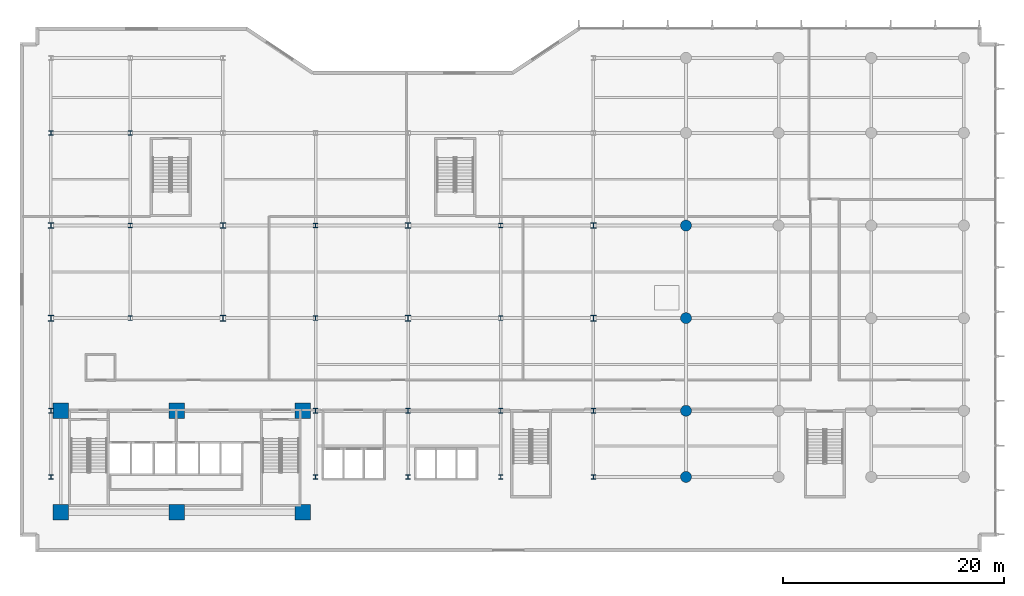
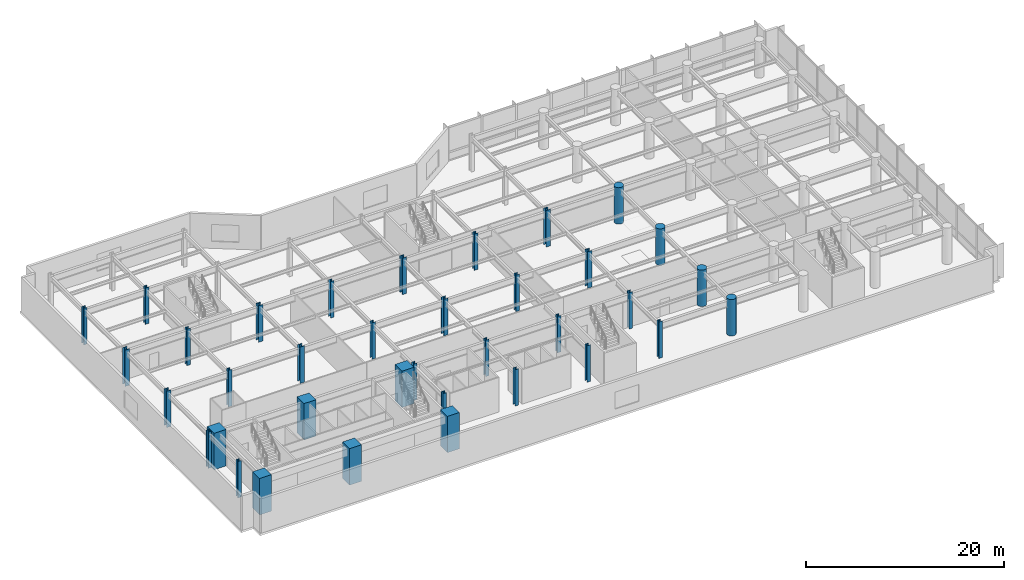
# One storey, part 1 of 26: 36 columns.
"""IFC4 building model written with IfcOpenShell, lengths in metres."""

from ifc_helpers import new_model, si_unit, direction, frame, origin, origin_2d, place, context, subcontext, project, spatial, rectangle, circle, i_section, extrude, material, material_profile, profile_set, type_object, element, save


model = new_model("IFC4")

# Units and contexts
model_context = context("Model", 3, precision=1e-05, world=origin(), true_north=direction((0.0, 1.0)))
body_context = subcontext(model_context, "Body", "Model", "MODEL_VIEW")
ifc_project = project(units=[si_unit("LENGTHUNIT", "METRE"), si_unit("AREAUNIT", "SQUARE_METRE"), si_unit("VOLUMEUNIT", "CUBIC_METRE"), si_unit("PLANEANGLEUNIT", "RADIAN"), si_unit("MASSUNIT", "GRAM", prefix="KILO")], contexts=[model_context])

# Site, building, storey
site_placement = place(None, origin())
site = spatial("IfcSite", under=ifc_project, at=site_placement, CompositionType="ELEMENT")
building_placement = place(site_placement, origin())
building = spatial("IfcBuilding", under=site, at=building_placement, Name="Varnakote Quay Hospital", CompositionType="ELEMENT")
storey_placement = place(building_placement, frame((0.0, 0.0, 9.0)))
storey = spatial("IfcBuildingStorey", under=building, at=storey_placement, Name="L02", CompositionType="ELEMENT", Elevation=9.0)

# Columns
ifc_material_1 = material(Name="Concrete N80 (f'c 80 MPa)", Category="concrete")
ifc_material_profile_1 = material_profile(ifc_material_1, rectangle(XDim=1.39990234375, YDim=1.39990234375, at=origin_2d()), Name="RC-COL-1400x1400")
ifc_profile_set_1 = profile_set([ifc_material_profile_1], Name="Concrete N80 (f'c 80 MPa)")
column_type_1 = type_object("IfcColumnType", Name="COL-RC-1400", PredefinedType="COLUMN", material=ifc_profile_set_1)
for number, where, z_axis, x_axis, name in (
    (1, (2.10009765625, 2.800048828125, 0.0), (0.0, 0.0, 1.0), (1.0, 0.0, 0.0), "L02 Structural Column C-2-3"),
    (2, (12.6201171875, 2.800048828125, 0.0), (0.0, 0.0, 1.0), (1.0, 0.0, 0.0), "L02 Structural Column C-13-3"),
    (3, (24.050048828125, 2.800048828125, 0.0), (0.0, 0.0, 1.0), (1.0, 0.0, 0.0), "L02 Structural Column C-24-3"),
    (4, (2.10009765625, 12.0, 0.0), (0.0, 0.0, 1.0), (1.0, 0.0, 0.0), "L02 Structural Column C-2-12"),
    (5, (12.6201171875, 12.0, 0.0), (0.0, 0.0, 1.0), (1.0, 0.0, 0.0), "L02 Structural Column C-13-12"),
    (6, (24.050048828125, 12.0, 0.0), (0.0, 0.0, 1.0), (1.0, 0.0, 0.0), "L02 Structural Column C-24-12"),
):
    element("IfcColumn", number, at=place(storey_placement, frame(where, z_axis=z_axis, x_axis=x_axis)), inside=storey, type_object=column_type_1, Name=name, PredefinedType="COLUMN", context=body_context, shape_type="SweptSolid", body=[
        extrude(rectangle(XDim=1.39990234375, YDim=1.39990234375, at=origin_2d()), origin(), (0.0, 0.0, 1.0), 4.5),
    ])
ifc_material_2 = material(Name="Concrete N65 (f'c 65 MPa)", Category="concrete")
ifc_material_profile_2 = material_profile(ifc_material_2, circle(Radius=0.5, at=origin_2d()), Name="RC-COL-D1000")
ifc_profile_set_2 = profile_set([ifc_material_profile_2], Name="Concrete N65 (f'c 65 MPa)")
column_type_2 = type_object("IfcColumnType", Name="COL-RC-D1000", PredefinedType="COLUMN", material=ifc_profile_set_2)
for number, where, z_axis, x_axis, name in (
    (7, (58.800048828125, 6.0, 0.0), (0.0, 0.0, 1.0), (1.0, 0.0, 0.0), "L02 Structural Column C-59-6"),
    (8, (58.800048828125, 12.0, 0.0), (0.0, 0.0, 1.0), (1.0, 0.0, 0.0), "L02 Structural Column C-59-12"),
    (9, (58.800048828125, 20.39990234375, 0.0), (0.0, 0.0, 1.0), (1.0, 0.0, 0.0), "L02 Structural Column C-59-20"),
    (10, (58.800048828125, 28.800048828125, 0.0), (0.0, 0.0, 1.0), (1.0, 0.0, 0.0), "L02 Structural Column C-59-29"),
):
    element("IfcColumn", number, at=place(storey_placement, frame(where, z_axis=z_axis, x_axis=x_axis)), inside=storey, type_object=column_type_2, Name=name, PredefinedType="COLUMN", context=body_context, shape_type="SweptSolid", body=[
        extrude(circle(Radius=0.5, at=origin_2d()), origin(), (0.0, 0.0, 1.0), 4.5),
    ])
ifc_material_3 = material(Name="Structural steel AS/NZS 3678 Grade 350 (fy 340 MPa)", Category="steel")
ifc_material_profile_3 = material_profile(ifc_material_3, i_section(OverallWidth=0.39990234375, OverallDepth=0.419921875, WebThickness=0.02490234375, FlangeThickness=0.0400390625, at=origin_2d()), Name="400WC328")
ifc_profile_set_3 = profile_set([ifc_material_profile_3], Name="Structural steel AS/NZS 3678 Grade 350 (fy 340 MPa)")
column_type_3 = type_object("IfcColumnType", Name="COL-STL-400WC328", PredefinedType="COLUMN", material=ifc_profile_set_3)
for number, where, z_axis, x_axis, name in (
    (11, (1.199951171875, 6.0, 0.0), (0.0, 0.0, 1.0), (1.0, 0.0, 0.0), "L02 Structural Column C-1-6"),
    (12, (25.199951171875, 6.0, 0.0), (0.0, 0.0, 1.0), (1.0, 0.0, 0.0), "L02 Structural Column C-25-6"),
    (13, (33.60009765625, 6.0, 0.0), (0.0, 0.0, 1.0), (1.0, 0.0, 0.0), "L02 Structural Column C-34-6"),
    (14, (42.0, 6.0, 0.0), (0.0, 0.0, 1.0), (1.0, 0.0, 0.0), "L02 Structural Column C-42-6"),
    (15, (50.39990234375, 6.0, 0.0), (0.0, 0.0, 1.0), (1.0, 0.0, 0.0), "L02 Structural Column C-50-6"),
    (16, (1.199951171875, 12.0, 0.0), (0.0, 0.0, 1.0), (1.0, 0.0, 0.0), "L02 Structural Column C-1-12"),
    (17, (25.199951171875, 12.0, 0.0), (0.0, 0.0, 1.0), (1.0, 0.0, 0.0), "L02 Structural Column C-25-12"),
    (18, (33.60009765625, 12.0, 0.0), (0.0, 0.0, 1.0), (1.0, 0.0, 0.0), "L02 Structural Column C-34-12"),
    (19, (42.0, 12.0, 0.0), (0.0, 0.0, 1.0), (1.0, 0.0, 0.0), "L02 Structural Column C-42-12"),
    (20, (50.39990234375, 12.0, 0.0), (0.0, 0.0, 1.0), (1.0, 0.0, 0.0), "L02 Structural Column C-50-12"),
    (21, (8.39990234375, 20.39990234375, 0.0), (0.0, 0.0, 1.0), (1.0, 0.0, 0.0), "L02 Structural Column C-8-20"),
    (22, (25.199951171875, 20.39990234375, 0.0), (0.0, 0.0, 1.0), (1.0, 0.0, 0.0), "L02 Structural Column C-25-20"),
    (23, (42.0, 20.39990234375, 0.0), (0.0, 0.0, 1.0), (1.0, 0.0, 0.0), "L02 Structural Column C-42-20"),
    (24, (8.39990234375, 28.800048828125, 0.0), (0.0, 0.0, 1.0), (1.0, 0.0, 0.0), "L02 Structural Column C-8-29"),
    (25, (25.199951171875, 28.800048828125, 0.0), (0.0, 0.0, 1.0), (1.0, 0.0, 0.0), "L02 Structural Column C-25-29"),
    (26, (42.0, 28.800048828125, 0.0), (0.0, 0.0, 1.0), (1.0, 0.0, 0.0), "L02 Structural Column C-42-29"),
    (27, (1.199951171875, 37.199951171875, 0.0), (0.0, 0.0, 1.0), (1.0, 0.0, 0.0), "L02 Structural Column C-1-37"),
    (28, (8.39990234375, 37.199951171875, 0.0), (0.0, 0.0, 1.0), (1.0, 0.0, 0.0), "L02 Structural Column C-8-37"),
):
    element("IfcColumn", number, at=place(storey_placement, frame(where, z_axis=z_axis, x_axis=x_axis)), inside=storey, type_object=column_type_3, Name=name, PredefinedType="COLUMN", context=body_context, shape_type="SweptSolid", body=[
        extrude(i_section(OverallWidth=0.39990234375, OverallDepth=0.419921875, WebThickness=0.02490234375, FlangeThickness=0.0400390625, at=origin_2d()), origin(), (0.0, 0.0, 1.0), 4.5),
    ])
ifc_material_4 = material(Name="Structural steel AS/NZS 3678 Grade 350 (fy 340 MPa)", Category="steel")
ifc_material_profile_4 = material_profile(ifc_material_4, i_section(OverallWidth=0.5, OverallDepth=0.530029296875, WebThickness=0.028076171875, FlangeThickness=0.044921875, at=origin_2d()), Name="500WC440")
ifc_profile_set_4 = profile_set([ifc_material_profile_4], Name="Structural steel AS/NZS 3678 Grade 350 (fy 340 MPa)")
column_type_4 = type_object("IfcColumnType", Name="COL-STL-500WC440", PredefinedType="COLUMN", material=ifc_profile_set_4)
for number, where, z_axis, x_axis, name in (
    (29, (1.199951171875, 20.39990234375, 0.0), (0.0, 0.0, 1.0), (1.0, 0.0, 0.0), "L02 Structural Column C-1-20"),
    (30, (16.800048828125, 20.39990234375, 0.0), (0.0, 0.0, 1.0), (1.0, 0.0, 0.0), "L02 Structural Column C-17-20"),
    (31, (33.60009765625, 20.39990234375, 0.0), (0.0, 0.0, 1.0), (1.0, 0.0, 0.0), "L02 Structural Column C-34-20"),
    (32, (50.39990234375, 20.39990234375, 0.0), (0.0, 0.0, 1.0), (1.0, 0.0, 0.0), "L02 Structural Column C-50-20"),
    (33, (1.199951171875, 28.800048828125, 0.0), (0.0, 0.0, 1.0), (1.0, 0.0, 0.0), "L02 Structural Column C-1-29"),
    (34, (16.800048828125, 28.800048828125, 0.0), (0.0, 0.0, 1.0), (1.0, 0.0, 0.0), "L02 Structural Column C-17-29"),
    (35, (33.60009765625, 28.800048828125, 0.0), (0.0, 0.0, 1.0), (1.0, 0.0, 0.0), "L02 Structural Column C-34-29"),
    (36, (50.39990234375, 28.800048828125, 0.0), (0.0, 0.0, 1.0), (1.0, 0.0, 0.0), "L02 Structural Column C-50-29"),
):
    element("IfcColumn", number, at=place(storey_placement, frame(where, z_axis=z_axis, x_axis=x_axis)), inside=storey, type_object=column_type_4, Name=name, PredefinedType="COLUMN", context=body_context, shape_type="SweptSolid", body=[
        extrude(i_section(OverallWidth=0.5, OverallDepth=0.530029296875, WebThickness=0.028076171875, FlangeThickness=0.044921875, at=origin_2d()), origin(), (0.0, 0.0, 1.0), 4.5),
    ])

save(model, "model.ifc")
